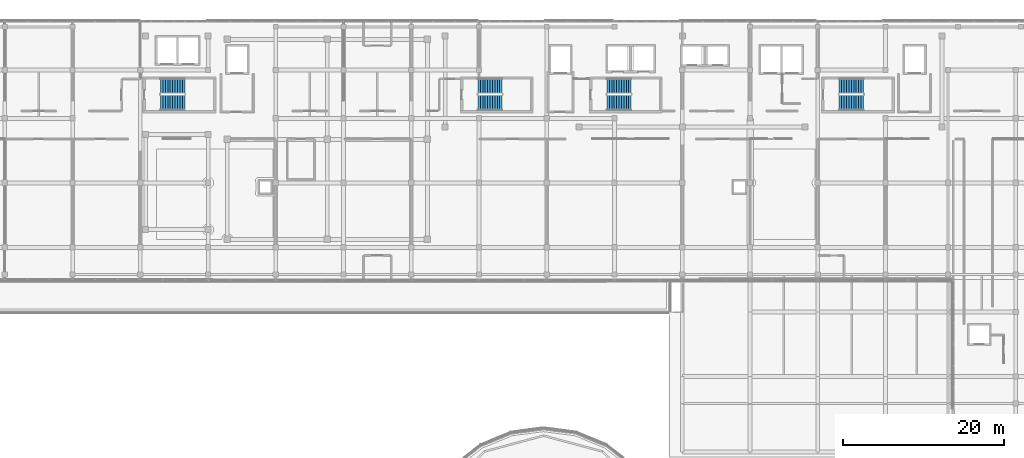
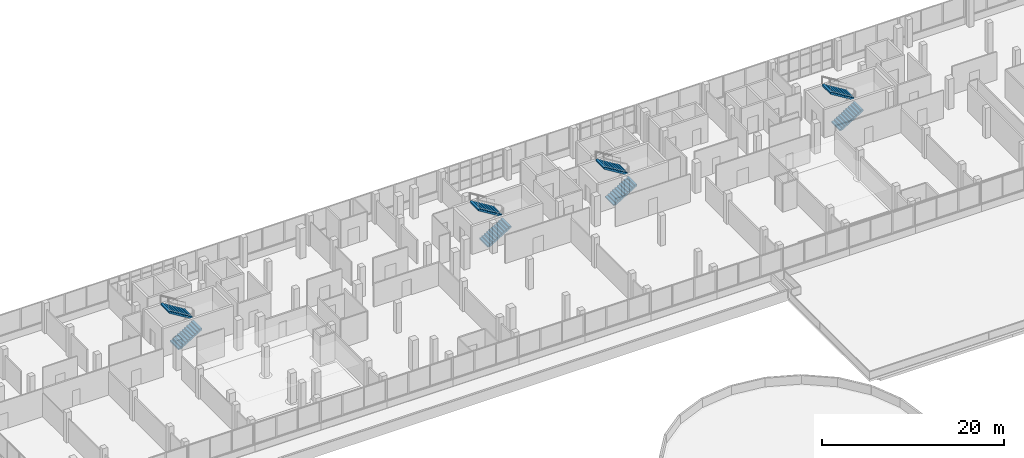
# One storey, part 72 of 78: 8 stair flights, 4 elements without a shape of their own.
"""IFC4 building model written with IfcOpenShell, lengths in metres."""

from ifc_helpers import new_model, si_unit, direction, frame, origin, place, context, subcontext, project, spatial, polyline, outline, extrude, material, layer, layer_set, type_object, element, aggregate, save


model = new_model("IFC4")

# Units and contexts
model_context = context("Model", 3, precision=1e-05, world=origin(), true_north=direction((0.0, 1.0)))
body_context = subcontext(model_context, "Body", "Model", "MODEL_VIEW")
ifc_project = project(units=[si_unit("LENGTHUNIT", "METRE"), si_unit("AREAUNIT", "SQUARE_METRE"), si_unit("VOLUMEUNIT", "CUBIC_METRE"), si_unit("PLANEANGLEUNIT", "RADIAN"), si_unit("MASSUNIT", "GRAM", prefix="KILO")], contexts=[model_context])

# Site, building, storey
site_placement = place(None, origin())
site = spatial("IfcSite", under=ifc_project, at=site_placement, CompositionType="ELEMENT")
building_placement = place(site_placement, origin())
building = spatial("IfcBuilding", under=site, at=building_placement, Name="Selatvlak General Hospital", CompositionType="ELEMENT")
storey_placement = place(building_placement, frame((0.0, 0.0, 23.25)))
storey = spatial("IfcBuildingStorey", under=building, at=storey_placement, Name="L05", CompositionType="ELEMENT", Elevation=23.25)

# Stair, stair flights
ifc_material = material(Name="Precast concrete C40/50", Category="concrete")
stair_type_1 = type_object("IfcStairType", Name="STAIR-ST-01", PredefinedType="HALF_TURN_STAIR", material=ifc_material)
stair_1_placement = place(storey_placement, origin())
stair_1 = element("IfcStair", 1, at=stair_1_placement, inside=storey, type_object=stair_type_1, Name="L05 Protected exit stair ST-01", PredefinedType="HALF_TURN_STAIR")
ifc_layer_1 = layer(ifc_material, 0.179931640625, Name="Precast concrete C40/50", Category="concrete")
ifc_layer_set_1 = layer_set([ifc_layer_1], Name="Precast concrete C40/50")
stair_flight_type_1 = type_object("IfcStairFlightType", Name="FLIGHT-ST-01", PredefinedType="STRAIGHT", material=ifc_layer_set_1)
stair_flight_1_placement = place(storey_placement, frame((50.510009765625, 109.929931640625, 0.0), z_axis=(0.0, 0.0, 1.0), x_axis=(1.0, 0.0, 0.0)))
stair_flight_1 = element("IfcStairFlight", 2, at=stair_flight_1_placement, type_object=stair_flight_type_1, Name="ST-01 flight 1", NumberOfRisers=11, NumberOfTreads=10, PredefinedType="STRAIGHT", RiserHeight=0.184090909, TreadLength=0.3, context=body_context, shape_type="SweptSolid", body=[
    extrude(outline(polyline([(0.0, 0.0), (0.0, 0.18408203125), (0.300048828125, 0.18408203125), (0.300048828125, 0.3681640625), (0.60009765625, 0.3681640625), (0.60009765625, 0.55224609375), (0.89990234375, 0.55224609375), (0.89990234375, 0.736328125), (1.199951171875, 0.736328125), (1.199951171875, 0.92041015625), (1.5, 0.92041015625), (1.5, 1.1044921875), (1.800048828125, 1.1044921875), (1.800048828125, 1.28857421875), (2.10009765625, 1.28857421875), (2.10009765625, 1.47265625), (2.39990234375, 1.47265625), (2.39990234375, 1.65673828125), (2.699951171875, 1.65673828125), (2.699951171875, 1.8408203125), (3.0, 1.8408203125), (3.0, 2.02490234375), (3.0, 1.6298828125), (0.343994140625, 0.0), (0.0, 0.0)])), frame((0.0, 0.93017578125, 0.0), z_axis=(0.0, -1.0, 0.0), x_axis=(1.0, 0.0, 0.0)), (0.0, 0.0, 1.0), 1.860107421875),
])
stair_flight_2_placement = place(storey_placement, frame((53.510009765625, 112.010009765625, 2.02490234375), z_axis=(0.0, 0.0, 1.0), x_axis=(-1.0, 0.0, 0.0)))
stair_flight_2 = element("IfcStairFlight", 3, at=stair_flight_2_placement, type_object=stair_flight_type_1, Name="ST-01 flight 2", NumberOfRisers=11, NumberOfTreads=10, PredefinedType="STRAIGHT", RiserHeight=0.184090909, TreadLength=0.3, context=body_context, shape_type="SweptSolid", body=[
    extrude(outline(polyline([(0.0, 0.0), (0.0, 0.18408203125), (0.300048828125, 0.18408203125), (0.300048828125, 0.3681640625), (0.60009765625, 0.3681640625), (0.60009765625, 0.55224609375), (0.89990234375, 0.55224609375), (0.89990234375, 0.736328125), (1.199951171875, 0.736328125), (1.199951171875, 0.92041015625), (1.5, 0.92041015625), (1.5, 1.1044921875), (1.800048828125, 1.1044921875), (1.800048828125, 1.28857421875), (2.10009765625, 1.28857421875), (2.10009765625, 1.47265625), (2.39990234375, 1.47265625), (2.39990234375, 1.65673828125), (2.699951171875, 1.65673828125), (2.699951171875, 1.8408203125), (3.0, 1.8408203125), (3.0, 2.02490234375), (3.0, 1.6298828125), (0.343994140625, 0.0), (0.0, 0.0)])), frame((0.0, 0.93017578125, 0.0), z_axis=(0.0, -1.0, 0.0), x_axis=(1.0, 0.0, 0.0)), (0.0, 0.0, 1.0), 1.860107421875),
])
aggregate(stair_1, [stair_flight_1, stair_flight_2])

stair_type_2 = type_object("IfcStairType", Name="STAIR-ST-02", PredefinedType="HALF_TURN_STAIR", material=ifc_material)
stair_2_placement = place(storey_placement, origin())
stair_2 = element("IfcStair", 4, at=stair_2_placement, inside=storey, type_object=stair_type_2, Name="L05 Protected exit stair ST-02", PredefinedType="HALF_TURN_STAIR")
ifc_layer_2 = layer(ifc_material, 0.179931640625, Name="Precast concrete C40/50", Category="concrete")
ifc_layer_set_2 = layer_set([ifc_layer_2], Name="Precast concrete C40/50")
stair_flight_type_2 = type_object("IfcStairFlightType", Name="FLIGHT-ST-02", PredefinedType="STRAIGHT", material=ifc_layer_set_2)
stair_flight_3_placement = place(storey_placement, frame((89.860107421875, 109.929931640625, 0.0), z_axis=(0.0, 0.0, 1.0), x_axis=(1.0, 0.0, 0.0)))
stair_flight_3 = element("IfcStairFlight", 5, at=stair_flight_3_placement, type_object=stair_flight_type_2, Name="ST-02 flight 1", NumberOfRisers=11, NumberOfTreads=10, PredefinedType="STRAIGHT", RiserHeight=0.184090909, TreadLength=0.3, context=body_context, shape_type="SweptSolid", body=[
    extrude(outline(polyline([(0.0, 0.0), (0.0, 0.18408203125), (0.300048828125, 0.18408203125), (0.300048828125, 0.3681640625), (0.60009765625, 0.3681640625), (0.60009765625, 0.55224609375), (0.89990234375, 0.55224609375), (0.89990234375, 0.736328125), (1.199951171875, 0.736328125), (1.199951171875, 0.92041015625), (1.5, 0.92041015625), (1.5, 1.1044921875), (1.800048828125, 1.1044921875), (1.800048828125, 1.28857421875), (2.10009765625, 1.28857421875), (2.10009765625, 1.47265625), (2.39990234375, 1.47265625), (2.39990234375, 1.65673828125), (2.699951171875, 1.65673828125), (2.699951171875, 1.8408203125), (3.0, 1.8408203125), (3.0, 2.02490234375), (3.0, 1.6298828125), (0.343994140625, 0.0), (0.0, 0.0)])), frame((0.0, 0.93017578125, 0.0), z_axis=(0.0, -1.0, 0.0), x_axis=(1.0, 0.0, 0.0)), (0.0, 0.0, 1.0), 1.860107421875),
])
stair_flight_4_placement = place(storey_placement, frame((92.860107421875, 112.010009765625, 2.02490234375), z_axis=(0.0, 0.0, 1.0), x_axis=(-1.0, 0.0, 0.0)))
stair_flight_4 = element("IfcStairFlight", 6, at=stair_flight_4_placement, type_object=stair_flight_type_2, Name="ST-02 flight 2", NumberOfRisers=11, NumberOfTreads=10, PredefinedType="STRAIGHT", RiserHeight=0.184090909, TreadLength=0.3, context=body_context, shape_type="SweptSolid", body=[
    extrude(outline(polyline([(0.0, 0.0), (0.0, 0.18408203125), (0.300048828125, 0.18408203125), (0.300048828125, 0.3681640625), (0.60009765625, 0.3681640625), (0.60009765625, 0.55224609375), (0.89990234375, 0.55224609375), (0.89990234375, 0.736328125), (1.199951171875, 0.736328125), (1.199951171875, 0.92041015625), (1.5, 0.92041015625), (1.5, 1.1044921875), (1.800048828125, 1.1044921875), (1.800048828125, 1.28857421875), (2.10009765625, 1.28857421875), (2.10009765625, 1.47265625), (2.39990234375, 1.47265625), (2.39990234375, 1.65673828125), (2.699951171875, 1.65673828125), (2.699951171875, 1.8408203125), (3.0, 1.8408203125), (3.0, 2.02490234375), (3.0, 1.6298828125), (0.343994140625, 0.0), (0.0, 0.0)])), frame((0.0, 0.93017578125, 0.0), z_axis=(0.0, -1.0, 0.0), x_axis=(1.0, 0.0, 0.0)), (0.0, 0.0, 1.0), 1.860107421875),
])
aggregate(stair_2, [stair_flight_3, stair_flight_4])

stair_type_3 = type_object("IfcStairType", Name="STAIR-ST-03", PredefinedType="HALF_TURN_STAIR", material=ifc_material)
stair_3_placement = place(storey_placement, origin())
stair_3 = element("IfcStair", 7, at=stair_3_placement, inside=storey, type_object=stair_type_3, Name="L05 Protected exit stair ST-03", PredefinedType="HALF_TURN_STAIR")
ifc_layer_3 = layer(ifc_material, 0.179931640625, Name="Precast concrete C40/50", Category="concrete")
ifc_layer_set_3 = layer_set([ifc_layer_3], Name="Precast concrete C40/50")
stair_flight_type_3 = type_object("IfcStairFlightType", Name="FLIGHT-ST-03", PredefinedType="STRAIGHT", material=ifc_layer_set_3)
stair_flight_5_placement = place(storey_placement, frame((105.860107421875, 109.929931640625, 0.0), z_axis=(0.0, 0.0, 1.0), x_axis=(1.0, 0.0, 0.0)))
stair_flight_5 = element("IfcStairFlight", 8, at=stair_flight_5_placement, type_object=stair_flight_type_3, Name="ST-03 flight 1", NumberOfRisers=11, NumberOfTreads=10, PredefinedType="STRAIGHT", RiserHeight=0.184090909, TreadLength=0.3, context=body_context, shape_type="SweptSolid", body=[
    extrude(outline(polyline([(0.0, 0.0), (0.0, 0.18408203125), (0.300048828125, 0.18408203125), (0.300048828125, 0.3681640625), (0.60009765625, 0.3681640625), (0.60009765625, 0.55224609375), (0.89990234375, 0.55224609375), (0.89990234375, 0.736328125), (1.199951171875, 0.736328125), (1.199951171875, 0.92041015625), (1.5, 0.92041015625), (1.5, 1.1044921875), (1.800048828125, 1.1044921875), (1.800048828125, 1.28857421875), (2.10009765625, 1.28857421875), (2.10009765625, 1.47265625), (2.39990234375, 1.47265625), (2.39990234375, 1.65673828125), (2.699951171875, 1.65673828125), (2.699951171875, 1.8408203125), (3.0, 1.8408203125), (3.0, 2.02490234375), (3.0, 1.6298828125), (0.343994140625, 0.0), (0.0, 0.0)])), frame((0.0, 0.93017578125, 0.0), z_axis=(0.0, -1.0, 0.0), x_axis=(1.0, 0.0, 0.0)), (0.0, 0.0, 1.0), 1.860107421875),
])
stair_flight_6_placement = place(storey_placement, frame((108.860107421875, 112.010009765625, 2.02490234375), z_axis=(0.0, 0.0, 1.0), x_axis=(-1.0, 0.0, 0.0)))
stair_flight_6 = element("IfcStairFlight", 9, at=stair_flight_6_placement, type_object=stair_flight_type_3, Name="ST-03 flight 2", NumberOfRisers=11, NumberOfTreads=10, PredefinedType="STRAIGHT", RiserHeight=0.184090909, TreadLength=0.3, context=body_context, shape_type="SweptSolid", body=[
    extrude(outline(polyline([(0.0, 0.0), (0.0, 0.18408203125), (0.300048828125, 0.18408203125), (0.300048828125, 0.3681640625), (0.60009765625, 0.3681640625), (0.60009765625, 0.55224609375), (0.89990234375, 0.55224609375), (0.89990234375, 0.736328125), (1.199951171875, 0.736328125), (1.199951171875, 0.92041015625), (1.5, 0.92041015625), (1.5, 1.1044921875), (1.800048828125, 1.1044921875), (1.800048828125, 1.28857421875), (2.10009765625, 1.28857421875), (2.10009765625, 1.47265625), (2.39990234375, 1.47265625), (2.39990234375, 1.65673828125), (2.699951171875, 1.65673828125), (2.699951171875, 1.8408203125), (3.0, 1.8408203125), (3.0, 2.02490234375), (3.0, 1.6298828125), (0.343994140625, 0.0), (0.0, 0.0)])), frame((0.0, 0.93017578125, 0.0), z_axis=(0.0, -1.0, 0.0), x_axis=(1.0, 0.0, 0.0)), (0.0, 0.0, 1.0), 1.860107421875),
])
aggregate(stair_3, [stair_flight_5, stair_flight_6])

stair_type_4 = type_object("IfcStairType", Name="STAIR-ST-04", PredefinedType="HALF_TURN_STAIR", material=ifc_material)
stair_4_placement = place(storey_placement, origin())
stair_4 = element("IfcStair", 10, at=stair_4_placement, inside=storey, type_object=stair_type_4, Name="L05 Protected exit stair ST-04", PredefinedType="HALF_TURN_STAIR")
ifc_layer_4 = layer(ifc_material, 0.179931640625, Name="Precast concrete C40/50", Category="concrete")
ifc_layer_set_4 = layer_set([ifc_layer_4], Name="Precast concrete C40/50")
stair_flight_type_4 = type_object("IfcStairFlightType", Name="FLIGHT-ST-04", PredefinedType="STRAIGHT", material=ifc_layer_set_4)
stair_flight_7_placement = place(storey_placement, frame((134.659912109375, 109.929931640625, 0.0), z_axis=(0.0, 0.0, 1.0), x_axis=(1.0, 0.0, 0.0)))
stair_flight_7 = element("IfcStairFlight", 11, at=stair_flight_7_placement, type_object=stair_flight_type_4, Name="ST-04 flight 1", NumberOfRisers=11, NumberOfTreads=10, PredefinedType="STRAIGHT", RiserHeight=0.184090909, TreadLength=0.3, context=body_context, shape_type="SweptSolid", body=[
    extrude(outline(polyline([(0.0, 0.0), (0.0, 0.18408203125), (0.300048828125, 0.18408203125), (0.300048828125, 0.3681640625), (0.60009765625, 0.3681640625), (0.60009765625, 0.55224609375), (0.89990234375, 0.55224609375), (0.89990234375, 0.736328125), (1.199951171875, 0.736328125), (1.199951171875, 0.92041015625), (1.5, 0.92041015625), (1.5, 1.1044921875), (1.800048828125, 1.1044921875), (1.800048828125, 1.28857421875), (2.10009765625, 1.28857421875), (2.10009765625, 1.47265625), (2.39990234375, 1.47265625), (2.39990234375, 1.65673828125), (2.699951171875, 1.65673828125), (2.699951171875, 1.8408203125), (3.0, 1.8408203125), (3.0, 2.02490234375), (3.0, 1.6298828125), (0.343994140625, 0.0), (0.0, 0.0)])), frame((0.0, 0.93017578125, 0.0), z_axis=(0.0, -1.0, 0.0), x_axis=(1.0, 0.0, 0.0)), (0.0, 0.0, 1.0), 1.860107421875),
])
stair_flight_8_placement = place(storey_placement, frame((137.659912109375, 112.010009765625, 2.02490234375), z_axis=(0.0, 0.0, 1.0), x_axis=(-1.0, 0.0, 0.0)))
stair_flight_8 = element("IfcStairFlight", 12, at=stair_flight_8_placement, type_object=stair_flight_type_4, Name="ST-04 flight 2", NumberOfRisers=11, NumberOfTreads=10, PredefinedType="STRAIGHT", RiserHeight=0.184090909, TreadLength=0.3, context=body_context, shape_type="SweptSolid", body=[
    extrude(outline(polyline([(0.0, 0.0), (0.0, 0.18408203125), (0.300048828125, 0.18408203125), (0.300048828125, 0.3681640625), (0.60009765625, 0.3681640625), (0.60009765625, 0.55224609375), (0.89990234375, 0.55224609375), (0.89990234375, 0.736328125), (1.199951171875, 0.736328125), (1.199951171875, 0.92041015625), (1.5, 0.92041015625), (1.5, 1.1044921875), (1.800048828125, 1.1044921875), (1.800048828125, 1.28857421875), (2.10009765625, 1.28857421875), (2.10009765625, 1.47265625), (2.39990234375, 1.47265625), (2.39990234375, 1.65673828125), (2.699951171875, 1.65673828125), (2.699951171875, 1.8408203125), (3.0, 1.8408203125), (3.0, 2.02490234375), (3.0, 1.6298828125), (0.343994140625, 0.0), (0.0, 0.0)])), frame((0.0, 0.93017578125, 0.0), z_axis=(0.0, -1.0, 0.0), x_axis=(1.0, 0.0, 0.0)), (0.0, 0.0, 1.0), 1.860107421875),
])
aggregate(stair_4, [stair_flight_7, stair_flight_8])

save(model, "model.ifc")
